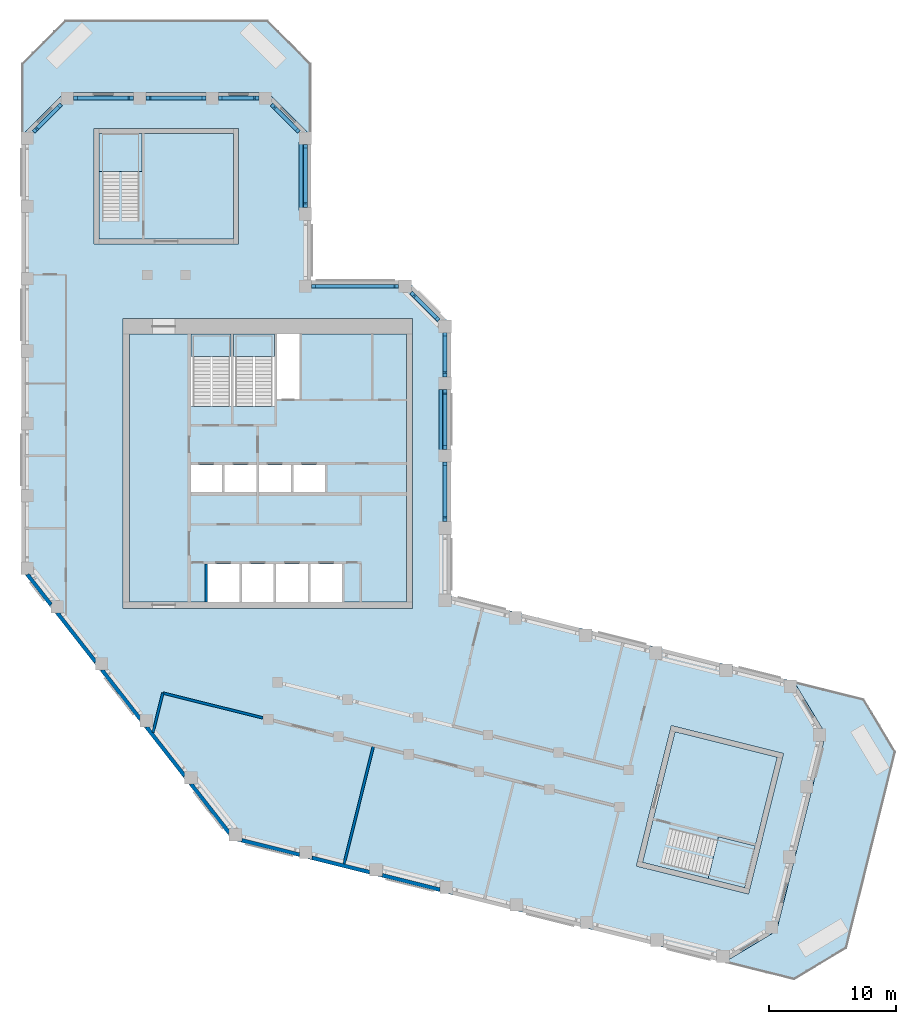
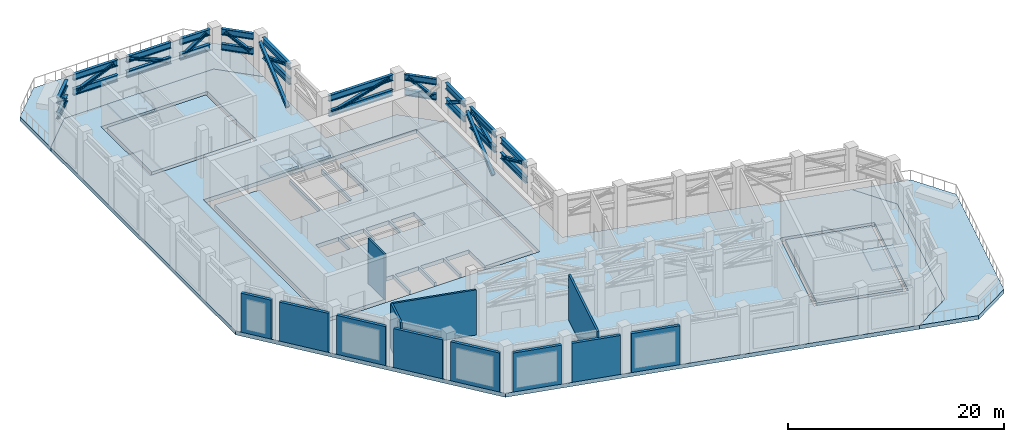
# One storey, part 3 of 8: 22 beams, 13 members, 12 walls, 10 slabs, 4 elements without a shape of their own.
"""IFC4 building model written with IfcOpenShell, lengths in metres."""

import ifcopenshell
import ifcopenshell.guid

model = None  # the IFC model being written
_history = None  # IfcOwnerHistory: only IFC2X3 demands one
_inside = {}  # id of a spatial element -> (the spatial element, [elements in it])
_under = {}  # id of a project, library or spatial element -> (it, [spatial elements below it])
_declared = {}  # id of a project -> (the project, [libraries it declares])
_typed = {}  # id of a type object -> (the type object, [elements of that type])
_made_of = {}  # id of a material, layer set ... -> (it, [elements and type objects made of it])


def new_model(schema):
    """Start an empty IFC model of exactly this schema.

    Asked for "IFC4X3", IfcOpenShell would pick the latest addendum, in which some entities
    have other attributes; the version numbers below select the first issue.
    IFC2X3 requires an IfcOwnerHistory on every rooted entity: one is made here for all.
    """
    global model, _history
    if schema == "IFC4X3":
        model = ifcopenshell.file(schema_version=(4, 3, 0, 0))
    else:
        model = ifcopenshell.file(schema=schema)
    _inside.clear()
    _under.clear()
    _declared.clear()
    _typed.clear()
    _made_of.clear()
    _history = None
    if model.schema == "IFC2X3":
        org = make("IfcOrganization", Name="unknown")
        user = make(
            "IfcPersonAndOrganization",
            ThePerson=make("IfcPerson", FamilyName="unknown"),
            TheOrganization=org,
        )
        app = make(
            "IfcApplication",
            ApplicationDeveloper=org,
            Version="unknown",
            ApplicationFullName="unknown",
            ApplicationIdentifier="unknown",
        )
        _history = make(
            "IfcOwnerHistory",
            OwningUser=user,
            OwningApplication=app,
            ChangeAction="ADDED",
            CreationDate=0,
        )
    return model


def make(cls, **values):
    """One entity of the class cls with the attributes given. An attribute that is None is left unset."""
    return model.create_entity(
        cls, **{name: value for name, value in values.items() if value is not None}
    )


def rooted(cls, **values):
    """An entity with a GlobalId (a new one), such as an element, a storey or a relation."""
    return make(cls, GlobalId=ifcopenshell.guid.new(), OwnerHistory=_history, **values)


def si_unit(unit_type, name, prefix=None):
    """IfcSIUnit, for example si_unit("LENGTHUNIT", "METRE", prefix="MILLI")."""
    return make("IfcSIUnit", UnitType=unit_type, Prefix=prefix, Name=name)


def assignment(units):
    """IfcUnitAssignment: the units of a project."""
    return None if units is None else make("IfcUnitAssignment", Units=units)


def point(xyz):
    """IfcCartesianPoint."""
    return None if xyz is None else make("IfcCartesianPoint", Coordinates=xyz)


def direction(xyz):
    """IfcDirection."""
    return None if xyz is None else make("IfcDirection", DirectionRatios=xyz)


def frame(location, z_axis=None, x_axis=None):
    """IfcAxis2Placement3D, a coordinate frame: its origin and axes. An axis left out is left unset."""
    return make(
        "IfcAxis2Placement3D",
        Location=point(location),
        Axis=direction(z_axis),
        RefDirection=direction(x_axis),
    )


def frame_2d(location, x_axis=None):
    """IfcAxis2Placement2D, a coordinate frame in the plane: its origin and x axis."""
    return make(
        "IfcAxis2Placement2D", Location=point(location), RefDirection=direction(x_axis)
    )


def origin():
    """The frame at (0, 0, 0) with its axes left unset."""
    return frame((0.0, 0.0, 0.0))


def origin_2d():
    """The frame at (0, 0) in the plane with its x axis left unset."""
    return frame_2d((0.0, 0.0))


def place(relative_to, where):
    """IfcLocalPlacement: puts the frame where relative to a parent placement (None: the world)."""
    return make(
        "IfcLocalPlacement", PlacementRelTo=relative_to, RelativePlacement=where
    )


def context(
    kind, dimensions, precision=None, world=None, true_north=None, identifier=None
):
    """IfcGeometricRepresentationContext, for example the 3D "Model" context."""
    return make(
        "IfcGeometricRepresentationContext",
        ContextIdentifier=identifier,
        ContextType=kind,
        CoordinateSpaceDimension=dimensions,
        Precision=precision,
        WorldCoordinateSystem=world,
        TrueNorth=true_north,
    )


def subcontext(parent, identifier, kind, view, scale=None):
    """IfcGeometricRepresentationSubContext, for example "Body" below "Model"."""
    return make(
        "IfcGeometricRepresentationSubContext",
        ContextIdentifier=identifier,
        ContextType=kind,
        ParentContext=parent,
        TargetScale=scale,
        TargetView=view,
    )


def project(units=None, contexts=None):
    """IfcProject with its units and contexts."""
    return rooted(
        "IfcProject",
        Name="project",
        RepresentationContexts=contexts,
        UnitsInContext=assignment(units),
    )


def spatial(cls, under=None, at=None, **own):
    """A site, building, storey or space (cls), placed at a placement, below another one or the project."""
    s = rooted(cls, ObjectPlacement=at, **own)
    if under is not None:
        _under.setdefault(under.id(), (under, []))[1].append(s)
    return s


def polyline(points):
    """IfcPolyline through the points."""
    return make("IfcPolyline", Points=[point(p) for p in points])


def profile(cls, at=None, kind="AREA", **sizes):
    """A parametric profile (cls). Its sizes go by their IFC names, for example OverallWidth=200.0."""
    return make(cls, ProfileType=kind, Position=at, **sizes)


def rectangle(**sizes):
    """IfcRectangleProfileDef."""
    return profile("IfcRectangleProfileDef", **sizes)


def i_section(**sizes):
    """IfcIShapeProfileDef."""
    return profile("IfcIShapeProfileDef", **sizes)


def outline(outer, holes=None, kind="AREA"):
    """IfcArbitraryClosedProfileDef: a profile drawn as a closed curve; with holes, ...WithVoids."""
    if holes is None:
        return make("IfcArbitraryClosedProfileDef", ProfileType=kind, OuterCurve=outer)
    return make(
        "IfcArbitraryProfileDefWithVoids",
        ProfileType=kind,
        OuterCurve=outer,
        InnerCurves=holes,
    )


def extrude(swept, where, along, depth):
    """IfcExtrudedAreaSolid: the profile swept, set in the frame where, extruded along a direction by depth."""
    return make(
        "IfcExtrudedAreaSolid",
        SweptArea=swept,
        Position=where,
        ExtrudedDirection=direction(along),
        Depth=depth,
    )


def shape(context_of_items, identifier, shape_type, items):
    """IfcShapeRepresentation: the items that make up one representation, for example the "Body"."""
    return make(
        "IfcShapeRepresentation",
        ContextOfItems=context_of_items,
        RepresentationIdentifier=identifier,
        RepresentationType=shape_type,
        Items=items,
    )


def material(Name=None, Category=None):
    """IfcMaterial."""
    return make("IfcMaterial", Name=Name, Category=Category)


def layer(
    of_material, thickness, ventilated=None, Name=None, Category=None, Priority=None
):
    """IfcMaterialLayer: one layer of a wall or slab, of a material (None: an air gap)."""
    return make(
        "IfcMaterialLayer",
        Material=of_material,
        LayerThickness=thickness,
        IsVentilated=ventilated,
        Name=Name,
        Category=Category,
        Priority=Priority,
    )


def layer_set(layers, Name=None):
    """IfcMaterialLayerSet."""
    return make("IfcMaterialLayerSet", MaterialLayers=layers, LayerSetName=Name)


def material_profile(
    of_material, cross_section, Name=None, Category=None, Priority=None
):
    """IfcMaterialProfile: a cross section and its material."""
    return make(
        "IfcMaterialProfile",
        Name=Name,
        Material=of_material,
        Profile=cross_section,
        Priority=Priority,
        Category=Category,
    )


def profile_set(profiles, Name=None, composite=None):
    """IfcMaterialProfileSet."""
    return make(
        "IfcMaterialProfileSet",
        Name=Name,
        MaterialProfiles=profiles,
        CompositeProfile=composite,
    )


def made_of(thing, what):
    """Note that an element or type object is made of a material, layer set ...; save() writes the relation."""
    if what is not None:
        _made_of.setdefault(what.id(), (what, []))[1].append(thing)
    return thing


def type_object(cls, material=None, **own):
    """A type object (cls), such as IfcWallType, which elements share."""
    return made_of(rooted(cls, **own), material)


def element(
    cls,
    number,
    at=None,
    inside=None,
    cuts=None,
    type_object=None,
    material=None,
    context=None,
    identifier="Body",
    shape_type=None,
    held_by="IfcProductDefinitionShape",
    body=None,
    shapes=None,
    **own,
):
    """One element of the class cls, such as IfcWall. Its Tag is "e" and its number.

    at: its placement. inside: the storey or other place that contains it. cuts: it is an
    opening in that element (IfcRelVoidsElement). A single representation is given by context,
    identifier, shape_type and body (its items); several are given by shapes. held_by: the class
    of the entity that holds the representations. save() writes the other relations.
    """
    e = rooted(cls, Tag="e%d" % number, ObjectPlacement=at, **own)
    if body is not None:
        shapes = [shape(context, identifier, shape_type, body)]
    if shapes is not None:
        e.Representation = make(held_by, Representations=shapes)
    if inside is not None:
        _inside.setdefault(inside.id(), (inside, []))[1].append(e)
    if cuts is not None:
        rooted(
            "IfcRelVoidsElement", RelatingBuildingElement=cuts, RelatedOpeningElement=e
        )
    if type_object is not None:
        _typed.setdefault(type_object.id(), (type_object, []))[1].append(e)
    return made_of(e, material)


def aggregate(whole, parts):
    """IfcRelAggregates: a whole, such as a stair, and the parts it consists of."""
    return rooted("IfcRelAggregates", RelatingObject=whole, RelatedObjects=parts)


def save(model, path):
    """Write the relations noted so far, then the file.

    IfcRelAggregates (storeys below a building ...), IfcRelContainedInSpatialStructure (elements
    in a storey), IfcRelDefinesByType, IfcRelAssociatesMaterial and IfcRelDeclares: one each for
    every whole, place, type object, material and project.
    """
    for whole, parts in _under.values():
        aggregate(whole, parts)
    for where, things in _inside.values():
        rooted(
            "IfcRelContainedInSpatialStructure",
            RelatedElements=things,
            RelatingStructure=where,
        )
    for kind, things in _typed.values():
        rooted("IfcRelDefinesByType", RelatedObjects=things, RelatingType=kind)
    for what, things in _made_of.values():
        rooted("IfcRelAssociatesMaterial", RelatedObjects=things, RelatingMaterial=what)
    for by, libraries in _declared.values():
        rooted("IfcRelDeclares", RelatingContext=by, RelatedDefinitions=libraries)
    model.write(path)


model = new_model("IFC4")

# Units and contexts
model_context = context("Model", 3, precision=1e-05, world=origin(), true_north=direction((0.0, 1.0)))
body_context = subcontext(model_context, "Body", "Model", "MODEL_VIEW")
ifc_project = project(units=[si_unit("LENGTHUNIT", "METRE"), si_unit("AREAUNIT", "SQUARE_METRE"), si_unit("VOLUMEUNIT", "CUBIC_METRE"), si_unit("PLANEANGLEUNIT", "RADIAN"), si_unit("MASSUNIT", "GRAM", prefix="KILO")], contexts=[model_context])

# Site, building, storey
site_placement = place(None, origin())
site = spatial("IfcSite", under=ifc_project, at=site_placement, CompositionType="ELEMENT")
building_placement = place(site_placement, origin())
building = spatial("IfcBuilding", under=site, at=building_placement, Name="Meshkara Civic Tower", CompositionType="ELEMENT")
storey_placement = place(building_placement, frame((0.0, 0.0, 348.60009765625)))
storey = spatial("IfcBuildingStorey", under=building, at=storey_placement, Name="L80", CompositionType="ELEMENT", Elevation=348.60009765625)

# Beams
ifc_material_1 = material(Name="Steel S355", Category="steel")
ifc_material_profile_1 = material_profile(ifc_material_1, i_section(OverallWidth=0.300048828125, OverallDepth=0.699951171875, WebThickness=0.01708984375, FlangeThickness=0.031982421875, FilletRadius=0.027099609375, at=origin_2d()))
ifc_profile_set_1 = profile_set([ifc_material_profile_1], Name="Steel S355")
beam_type = type_object("IfcBeamType", Name="Belt truss chord HEB 700 S355", PredefinedType="BEAM", material=ifc_profile_set_1)
for number, where, z_axis, x_axis, name in (
    (1, (33.35009765625, 20.9140625, 4.75), (0.0, 1.0, 0.0), (-1.0, 0.0, 0.0), "Belt truss chord BHE01-HE02"),
    (2, (33.35009765625, 20.9140625, 3.0498046875), (0.0, 1.0, 0.0), (-1.0, 0.0, 0.0), "Belt truss chord BHE01-HE02"),
    (3, (33.35009765625, 26.614013671875, 4.75), (0.0, 1.0, 0.0), (-1.0, 0.0, 0.0), "Belt truss chord BHE02-HE03"),
    (4, (33.35009765625, 26.614013671875, 3.0498046875), (0.0, 1.0, 0.0), (-1.0, 0.0, 0.0), "Belt truss chord BHE02-HE03"),
):
    element("IfcBeam", number, at=place(storey_placement, frame(where, z_axis=z_axis, x_axis=x_axis)), inside=storey, type_object=beam_type, Name=name, PredefinedType="BEAM", context=body_context, shape_type="SweptSolid", body=[
        extrude(i_section(OverallWidth=0.300048828125, OverallDepth=0.699951171875, WebThickness=0.01708984375, FlangeThickness=0.031982421875, FilletRadius=0.027099609375, at=origin_2d()), origin(), (0.0, 0.0, 1.0), 4.7099609375),
    ])
for number, where, z_axis, x_axis, name in (
    (5, (33.35009765625, 32.31396484375, 4.75), (0.0, 1.0, 0.0), (-1.0, 0.0, 0.0), "Belt truss chord BHE03-HEE"),
    (6, (33.35009765625, 32.31396484375, 3.0498046875), (0.0, 1.0, 0.0), (-1.0, 0.0, 0.0), "Belt truss chord BHE03-HEE"),
):
    element("IfcBeam", number, at=place(storey_placement, frame(where, z_axis=z_axis, x_axis=x_axis)), inside=storey, type_object=beam_type, Name=name, PredefinedType="BEAM", context=body_context, shape_type="SweptSolid", body=[
        extrude(i_section(OverallWidth=0.300048828125, OverallDepth=0.699951171875, WebThickness=0.01708984375, FlangeThickness=0.031982421875, FilletRadius=0.027099609375, at=origin_2d()), origin(), (0.0, 0.0, 1.0), 3.485107421875),
    ])
for number, where, z_axis, x_axis, name in (
    (7, (32.853515625, 36.79052734375, 4.75), (-0.707106781187, 0.707106781187, 0.0), (-0.707106781187, -0.707106781187, 0.0), "Belt truss chord BHEE-HCeE"),
    (8, (32.853515625, 36.79052734375, 3.0498046875), (-0.707106781187, 0.707106781187, 0.0), (-0.707106781187, -0.707106781187, 0.0), "Belt truss chord BHEE-HCeE"),
):
    element("IfcBeam", number, at=place(storey_placement, frame(where, z_axis=z_axis, x_axis=x_axis)), inside=storey, type_object=beam_type, Name=name, PredefinedType="BEAM", context=body_context, shape_type="SweptSolid", body=[
        extrude(i_section(OverallWidth=0.300048828125, OverallDepth=0.699951171875, WebThickness=0.01708984375, FlangeThickness=0.031982421875, FilletRadius=0.027099609375, at=origin_2d()), origin(), (0.0, 0.0, 1.0), 3.05908203125),
    ])
for number, where, z_axis, x_axis, name in (
    (9, (29.698974609375, 39.449951171875, 4.75), (-1.0, 0.0, 0.0), (0.0, -1.0, 0.0), "Belt truss chord BHCeE-HN00"),
    (10, (29.698974609375, 39.449951171875, 3.0498046875), (-1.0, 0.0, 0.0), (0.0, -1.0, 0.0), "Belt truss chord BHCeE-HN00"),
):
    element("IfcBeam", number, at=place(storey_placement, frame(where, z_axis=z_axis, x_axis=x_axis)), inside=storey, type_object=beam_type, Name=name, PredefinedType="BEAM", context=body_context, shape_type="SweptSolid", body=[
        extrude(i_section(OverallWidth=0.300048828125, OverallDepth=0.699951171875, WebThickness=0.01708984375, FlangeThickness=0.031982421875, FilletRadius=0.027099609375, at=origin_2d()), origin(), (0.0, 0.0, 1.0), 6.85400390625),
    ])
for number, where, z_axis, x_axis, name in (
    (11, (22.35009765625, 45.64501953125, 4.75), (0.0, 1.0, 0.0), (-1.0, 0.0, 0.0), "Belt truss chord BAE01-AEEP5"),
    (12, (22.35009765625, 45.64501953125, 3.0498046875), (0.0, 1.0, 0.0), (-1.0, 0.0, 0.0), "Belt truss chord BAE01-AEEP5"),
):
    element("IfcBeam", number, at=place(storey_placement, frame(where, z_axis=z_axis, x_axis=x_axis)), inside=storey, type_object=beam_type, Name=name, PredefinedType="BEAM", context=body_context, shape_type="SweptSolid", body=[
        extrude(i_section(OverallWidth=0.300048828125, OverallDepth=0.699951171875, WebThickness=0.01708984375, FlangeThickness=0.031982421875, FilletRadius=0.027099609375, at=origin_2d()), origin(), (0.0, 0.0, 1.0), 4.973876953125),
    ])
for number, where, z_axis, x_axis, name in (
    (13, (21.853515625, 51.610595703125, 4.75), (-0.707146686758, 0.707066873363, 0.0), (-0.707066873363, -0.707146686758, 0.0), "Belt truss chord BAEEP5-ATiEP5"),
    (14, (21.853515625, 51.610595703125, 3.0498046875), (-0.707146686758, 0.707066873363, 0.0), (-0.707066873363, -0.707146686758, 0.0), "Belt truss chord BAEEP5-ATiEP5"),
):
    element("IfcBeam", number, at=place(storey_placement, frame(where, z_axis=z_axis, x_axis=x_axis)), inside=storey, type_object=beam_type, Name=name, PredefinedType="BEAM", context=body_context, shape_type="SweptSolid", body=[
        extrude(i_section(OverallWidth=0.300048828125, OverallDepth=0.699951171875, WebThickness=0.01708984375, FlangeThickness=0.031982421875, FilletRadius=0.027099609375, at=origin_2d()), origin(), (0.0, 0.0, 1.0), 3.058837890625),
    ])
for number, where, z_axis, x_axis, name in (
    (15, (18.698974609375, 54.27001953125, 4.75), (-1.0, 0.0, 0.0), (0.0, -1.0, 0.0), "Belt truss chord BATiEP5-AT02-P5"),
    (16, (18.698974609375, 54.27001953125, 3.0498046875), (-1.0, 0.0, 0.0), (0.0, -1.0, 0.0), "Belt truss chord BATiEP5-AT02-P5"),
):
    element("IfcBeam", number, at=place(storey_placement, frame(where, z_axis=z_axis, x_axis=x_axis)), inside=storey, type_object=beam_type, Name=name, PredefinedType="BEAM", context=body_context, shape_type="SweptSolid", body=[
        extrude(i_section(OverallWidth=0.300048828125, OverallDepth=0.699951171875, WebThickness=0.01708984375, FlangeThickness=0.031982421875, FilletRadius=0.027099609375, at=origin_2d()), origin(), (0.0, 0.0, 1.0), 3.197998046875),
    ])
for number, where, z_axis, x_axis, name in (
    (17, (14.510986328125, 54.27001953125, 4.75), (-1.0, 0.0, 0.0), (0.0, -1.0, 0.0), "Belt truss chord BAT02-P5-AT01-P5"),
    (18, (14.510986328125, 54.27001953125, 3.0498046875), (-1.0, 0.0, 0.0), (0.0, -1.0, 0.0), "Belt truss chord BAT02-P5-AT01-P5"),
    (19, (8.81103515625, 54.27001953125, 4.75), (-1.0, 0.0, 0.0), (0.0, -1.0, 0.0), "Belt truss chord BAT01-P5-AT00-P5"),
    (20, (8.81103515625, 54.27001953125, 3.0498046875), (-1.0, 0.0, 0.0), (0.0, -1.0, 0.0), "Belt truss chord BAT01-P5-AT00-P5"),
):
    element("IfcBeam", number, at=place(storey_placement, frame(where, z_axis=z_axis, x_axis=x_axis)), inside=storey, type_object=beam_type, Name=name, PredefinedType="BEAM", context=body_context, shape_type="SweptSolid", body=[
        extrude(i_section(OverallWidth=0.300048828125, OverallDepth=0.699951171875, WebThickness=0.01708984375, FlangeThickness=0.031982421875, FilletRadius=0.027099609375, at=origin_2d()), origin(), (0.0, 0.0, 1.0), 4.7099609375),
    ])
for number, where, z_axis, x_axis, name in (
    (21, (3.109619140625, 53.7734375, 4.75), (-0.707146686758, -0.707066873363, 0.0), (0.707066873363, -0.707146686758, 0.0), "Belt truss chord BAT00-P5-ATo00-P5"),
    (22, (3.109619140625, 53.7734375, 3.0498046875), (-0.707146686758, -0.707066873363, 0.0), (0.707066873363, -0.707146686758, 0.0), "Belt truss chord BAT00-P5-ATo00-P5"),
):
    element("IfcBeam", number, at=place(storey_placement, frame(where, z_axis=z_axis, x_axis=x_axis)), inside=storey, type_object=beam_type, Name=name, PredefinedType="BEAM", context=body_context, shape_type="SweptSolid", body=[
        extrude(i_section(OverallWidth=0.300048828125, OverallDepth=0.699951171875, WebThickness=0.01708984375, FlangeThickness=0.031982421875, FilletRadius=0.027099609375, at=origin_2d()), origin(), (0.0, 0.0, 1.0), 3.058837890625),
    ])

# Members
ifc_material_2 = material(Name="Steel S355", Category="steel")
ifc_material_profile_2 = material_profile(ifc_material_2, i_section(OverallWidth=0.300048828125, OverallDepth=0.300048828125, WebThickness=0.010986328125, FlangeThickness=0.01904296875, FilletRadius=0.027099609375, at=origin_2d()))
ifc_profile_set_2 = profile_set([ifc_material_profile_2], Name="Steel S355")
member_type = type_object("IfcMemberType", Name="Truss diagonal HEB 300 S355", PredefinedType="BRACE", material=ifc_profile_set_2)
for number, where, z_axis, x_axis, name in (
    (23, (33.35009765625, 21.263916015625, 4.75), (0.0, 0.920666035826, -0.390351188645), (-1.0, 0.0, 0.0), "TD-BHE01-HE02-L80"),
    (24, (33.35009765625, 26.964111328125, 3.0498046875), (0.0, 0.920666035826, 0.390351188645), (-1.0, 0.0, 0.0), "TD-BHE02-HE03-L80"),
):
    element("IfcMember", number, at=place(storey_placement, frame(where, z_axis=z_axis, x_axis=x_axis)), inside=storey, type_object=member_type, Name=name, PredefinedType="BRACE", context=body_context, shape_type="SweptSolid", body=[
        extrude(i_section(OverallWidth=0.300048828125, OverallDepth=0.300048828125, WebThickness=0.010986328125, FlangeThickness=0.01904296875, FilletRadius=0.027099609375, at=origin_2d()), origin(), (0.0, 0.0, 1.0), 4.35546875),
    ])
member_1_placement = place(storey_placement, frame((33.35009765625, 32.6640625, 4.75), z_axis=(0.0, 0.853512946338, -0.521071636565), x_axis=(-1.0, 0.0, 0.0)))
element("IfcMember", 25, at=member_1_placement, inside=storey, type_object=member_type, Name="TD-BHE03-HEE-L80", PredefinedType="BRACE", context=body_context, shape_type="SweptSolid", body=[
    extrude(i_section(OverallWidth=0.300048828125, OverallDepth=0.300048828125, WebThickness=0.010986328125, FlangeThickness=0.01904296875, FilletRadius=0.027099609375, at=origin_2d()), origin(), (0.0, 0.0, 1.0), 3.262939453125),
])
member_2_placement = place(storey_placement, frame((32.60595703125, 37.0380859375, 3.0498046875), z_axis=(-0.573632276186, 0.573632276186, 0.584715335386), x_axis=(-0.707106781187, -0.707106781187, 0.0)))
element("IfcMember", 26, at=member_2_placement, inside=storey, type_object=member_type, Name="TD-BHEE-HCeE-L80", PredefinedType="BRACE", context=body_context, shape_type="SweptSolid", body=[
    extrude(i_section(OverallWidth=0.300048828125, OverallDepth=0.300048828125, WebThickness=0.010986328125, FlangeThickness=0.01904296875, FilletRadius=0.027099609375, at=origin_2d()), origin(), (0.0, 0.0, 1.0), 2.90771484375),
])
member_3_placement = place(storey_placement, frame((29.34912109375, 39.449951171875, 4.75), z_axis=(-0.963891140754, 0.0, -0.266296580482), x_axis=(0.0, -1.0, 0.0)))
element("IfcMember", 27, at=member_3_placement, inside=storey, type_object=member_type, Name="TD-BHCeE-HN00-L80", PredefinedType="BRACE", context=body_context, shape_type="SweptSolid", body=[
    extrude(i_section(OverallWidth=0.300048828125, OverallDepth=0.300048828125, WebThickness=0.010986328125, FlangeThickness=0.01904296875, FilletRadius=0.027099609375, at=origin_2d()), origin(), (0.0, 0.0, 1.0), 6.384521484375),
])
member_4_placement = place(storey_placement, frame((22.35009765625, 45.9951171875, 4.75), z_axis=(0.0, 0.929177850036, -0.369632957138), x_axis=(-1.0, 0.0, 0.0)))
element("IfcMember", 28, at=member_4_placement, inside=storey, type_object=member_type, Name="TD-BAE01-AEEP5-L80", PredefinedType="BRACE", context=body_context, shape_type="SweptSolid", body=[
    extrude(i_section(OverallWidth=0.300048828125, OverallDepth=0.300048828125, WebThickness=0.010986328125, FlangeThickness=0.01904296875, FilletRadius=0.027099609375, at=origin_2d()), origin(), (0.0, 0.0, 1.0), 4.599609375),
])
member_5_placement = place(storey_placement, frame((21.60595703125, 51.85791015625, 3.0498046875), z_axis=(-0.573632276186, 0.573632276186, 0.584715335386), x_axis=(-0.707106781187, -0.707106781187, 0.0)))
element("IfcMember", 29, at=member_5_placement, inside=storey, type_object=member_type, Name="TD-BAEEP5-ATiEP5-L80", PredefinedType="BRACE", context=body_context, shape_type="SweptSolid", body=[
    extrude(i_section(OverallWidth=0.300048828125, OverallDepth=0.300048828125, WebThickness=0.010986328125, FlangeThickness=0.01904296875, FilletRadius=0.027099609375, at=origin_2d()), origin(), (0.0, 0.0, 1.0), 2.90771484375),
])
member_6_placement = place(storey_placement, frame((18.34912109375, 54.27001953125, 4.75), z_axis=(-0.826692001642, 0.0, -0.562654720429), x_axis=(0.0, -1.0, 0.0)))
element("IfcMember", 30, at=member_6_placement, inside=storey, type_object=member_type, Name="TD-BATiEP5-AT02-P5-L80", PredefinedType="BRACE", context=body_context, shape_type="SweptSolid", body=[
    extrude(i_section(OverallWidth=0.300048828125, OverallDepth=0.300048828125, WebThickness=0.010986328125, FlangeThickness=0.01904296875, FilletRadius=0.027099609375, at=origin_2d()), origin(), (0.0, 0.0, 1.0), 3.021728515625),
])
for number, where, z_axis, x_axis, name in (
    (31, (14.160888671875, 54.27001953125, 3.0498046875), (-0.920666035826, 0.0, 0.390351188645), (0.0, -1.0, 0.0), "TD-BAT02-P5-AT01-P5-L80"),
    (32, (8.4609375, 54.27001953125, 4.75), (-0.920666035826, 0.0, -0.390351188645), (0.0, -1.0, 0.0), "TD-BAT01-P5-AT00-P5-L80"),
):
    element("IfcMember", number, at=place(storey_placement, frame(where, z_axis=z_axis, x_axis=x_axis)), inside=storey, type_object=member_type, Name=name, PredefinedType="BRACE", context=body_context, shape_type="SweptSolid", body=[
        extrude(i_section(OverallWidth=0.300048828125, OverallDepth=0.300048828125, WebThickness=0.010986328125, FlangeThickness=0.01904296875, FilletRadius=0.027099609375, at=origin_2d()), origin(), (0.0, 0.0, 1.0), 4.35546875),
    ])
member_7_placement = place(storey_placement, frame((2.862060546875, 53.52587890625, 3.0498046875), z_axis=(-0.573632276186, -0.573632276186, 0.584715335386), x_axis=(0.707106781187, -0.707106781187, 0.0)))
element("IfcMember", 33, at=member_7_placement, inside=storey, type_object=member_type, Name="TD-BAT00-P5-ATo00-P5-L80", PredefinedType="BRACE", context=body_context, shape_type="SweptSolid", body=[
    extrude(i_section(OverallWidth=0.300048828125, OverallDepth=0.300048828125, WebThickness=0.010986328125, FlangeThickness=0.01904296875, FilletRadius=0.027099609375, at=origin_2d()), origin(), (0.0, 0.0, 1.0), 2.90771484375),
])
member_8_placement = place(storey_placement, frame((33.010009765625, 26.4990234375, 0.349853515625), z_axis=(0.0, 0.75426916486, 0.656565325723), x_axis=(-1.0, 0.0, 0.0)))
element("IfcMember", 34, at=member_8_placement, inside=storey, type_object=member_type, Name="TD-XHE02-HE03-L80", PredefinedType="BRACE", context=body_context, shape_type="SweptSolid", body=[
    extrude(i_section(OverallWidth=0.300048828125, OverallDepth=0.300048828125, WebThickness=0.010986328125, FlangeThickness=0.01904296875, FilletRadius=0.027099609375, at=origin_2d()), origin(), (0.0, 0.0, 1.0), 6.54931640625),
])
member_9_placement = place(storey_placement, frame((22.010009765625, 45.530029296875, 0.349853515625), z_axis=(0.0, 0.770873727307, 0.636987987758), x_axis=(-1.0, 0.0, 0.0)))
element("IfcMember", 35, at=member_9_placement, inside=storey, type_object=member_type, Name="TD-XAE01-AEEP5-L80", PredefinedType="BRACE", context=body_context, shape_type="SweptSolid", body=[
    extrude(i_section(OverallWidth=0.300048828125, OverallDepth=0.300048828125, WebThickness=0.010986328125, FlangeThickness=0.01904296875, FilletRadius=0.027099609375, at=origin_2d()), origin(), (0.0, 0.0, 1.0), 6.75048828125),
])

# Slabs
ifc_material_3 = material(Name="Concrete C40/50", Category="concrete")
ifc_layer_1 = layer(ifc_material_3, 0.449951171875)
ifc_layer_set_1 = layer_set([ifc_layer_1], Name="Core floor slab 450 C40/50")
slab_type_1 = type_object("IfcSlabType", Name="Core floor slab 450 C40/50", PredefinedType="FLOOR", material=ifc_layer_set_1)
slab_1_placement = place(storey_placement, frame((0.0, 0.0, -0.4501953125)))
element("IfcSlab", 36, at=slab_1_placement, inside=storey, type_object=slab_type_1, Name="Core floor K", PredefinedType="FLOOR", context=body_context, shape_type="SweptSolid", body=[
    extrude(outline(polyline([(8.5, 35.699951171875), (13.35009765625, 35.699951171875), (13.35009765625, 30.00146484375), (16.5, 30.00146484375), (16.5, 35.699951171875), (16.699951171875, 35.699951171875), (16.699951171875, 30.00146484375), (19.89990234375, 30.00146484375), (19.89990234375, 35.699951171875), (20.10009765625, 35.699951171875), (20.10009765625, 30.574951171875), (21.925048828125, 30.574951171875), (21.925048828125, 35.699951171875), (30.300048828125, 35.699951171875), (30.300048828125, 14.60009765625), (25.25, 14.60009765625), (25.25, 17.60009765625), (22.75, 17.60009765625), (22.75, 14.60009765625), (22.550048828125, 14.60009765625), (22.550048828125, 17.60009765625), (20.050048828125, 17.60009765625), (20.050048828125, 14.60009765625), (19.85009765625, 14.60009765625), (19.85009765625, 17.60009765625), (17.35009765625, 17.60009765625), (17.35009765625, 14.60009765625), (17.14990234375, 14.60009765625), (17.14990234375, 17.60009765625), (14.64990234375, 17.60009765625), (14.64990234375, 14.60009765625), (8.5, 14.60009765625), (8.5, 35.699951171875)]), holes=[polyline([(13.35009765625, 23.25), (15.800048828125, 23.25), (15.800048828125, 25.39990234375), (13.35009765625, 25.39990234375), (13.35009765625, 23.25)]), polyline([(18.5, 23.25), (18.5, 25.39990234375), (16.0, 25.39990234375), (16.0, 23.25), (18.5, 23.25)]), polyline([(18.699951171875, 23.25), (21.199951171875, 23.25), (21.199951171875, 25.39990234375), (18.699951171875, 25.39990234375), (18.699951171875, 23.25)]), polyline([(23.89990234375, 23.25), (23.89990234375, 25.39990234375), (21.39990234375, 25.39990234375), (21.39990234375, 23.25), (23.89990234375, 23.25)])]), origin(), (0.0, 0.0, 1.0), 0.4501953125),
])
slab_2_placement = place(storey_placement, frame((0.0, 0.0, -0.4501953125)))
element("IfcSlab", 37, at=slab_2_placement, inside=storey, type_object=slab_type_1, Name="Core floor EA", PredefinedType="FLOOR", context=body_context, shape_type="SweptSolid", body=[
    extrude(outline(polyline([(6.10009765625, 43.169921875), (16.699951171875, 43.169921875), (16.699951171875, 51.469970703125), (6.10009765625, 51.469970703125), (6.10009765625, 43.169921875)])), origin(), (0.0, 0.0, 1.0), 0.4501953125),
])
slab_3_placement = place(storey_placement, frame((0.0, 0.0, -0.4501953125)))
element("IfcSlab", 38, at=slab_3_placement, inside=storey, type_object=slab_type_1, Name="Core floor EB", PredefinedType="FLOOR", context=body_context, shape_type="SweptSolid", body=[
    extrude(outline(polyline([(48.89404296875, -5.90380859375), (51.45849609375, 4.381103515625), (59.511962890625, 2.373291015625), (56.947509765625, -7.911865234375), (48.89404296875, -5.90380859375)])), origin(), (0.0, 0.0, 1.0), 0.4501953125),
])

# Stair, slab
ifc_material_4 = material(Name="Precast concrete C40/50", Category="concrete")
stair_type = type_object("IfcStairType", Name="Exit stair half-turn 30 risers precast", PredefinedType="HALF_TURN_STAIR", material=ifc_material_4)
stair_1_placement = place(storey_placement, origin())
stair_1 = element("IfcStair", 39, at=stair_1_placement, inside=storey, type_object=stair_type, Name="L80 exit stair 1", PredefinedType="HALF_TURN_STAIR")
ifc_material_5 = material(Name="Precast concrete C40/50", Category="concrete")
ifc_layer_2 = layer(ifc_material_5, 0.199951171875)
ifc_layer_set_2 = layer_set([ifc_layer_2], Name="Exit stair landing 200")
slab_type_2 = type_object("IfcSlabType", Name="Exit stair landing 200", PredefinedType="LANDING", material=ifc_layer_set_2)
slab_4_placement = place(storey_placement, frame((0.0, 0.0, 2.5)))
slab_4 = element("IfcSlab", 40, at=slab_4_placement, type_object=slab_type_2, Name="ST1 landing 1", PredefinedType="LANDING", context=body_context, shape_type="SweptSolid", body=[
    extrude(outline(polyline([(16.5, 33.91845703125), (16.5, 35.699951171875), (13.35009765625, 35.699951171875), (13.35009765625, 33.91845703125), (16.5, 33.91845703125)])), origin(), (0.0, 0.0, 1.0), 0.199951171875),
])
aggregate(stair_1, [slab_4])

stair_2_placement = place(storey_placement, origin())
stair_2 = element("IfcStair", 41, at=stair_2_placement, inside=storey, type_object=stair_type, Name="L80 exit stair 2", PredefinedType="HALF_TURN_STAIR")
slab_5_placement = place(storey_placement, frame((0.0, 0.0, 2.5)))
slab_5 = element("IfcSlab", 42, at=slab_5_placement, type_object=slab_type_2, Name="ST2 landing 1", PredefinedType="LANDING", context=body_context, shape_type="SweptSolid", body=[
    extrude(outline(polyline([(19.89990234375, 33.91845703125), (19.89990234375, 35.699951171875), (16.699951171875, 35.699951171875), (16.699951171875, 33.91845703125), (19.89990234375, 33.91845703125)])), origin(), (0.0, 0.0, 1.0), 0.199951171875),
])
aggregate(stair_2, [slab_5])

stair_3_placement = place(storey_placement, origin())
stair_3 = element("IfcStair", 43, at=stair_3_placement, inside=storey, type_object=stair_type, Name="L80 exit stair A from L80", PredefinedType="HALF_TURN_STAIR")
slab_6_placement = place(storey_placement, frame((0.0, 0.0, 2.5)))
slab_6 = element("IfcSlab", 44, at=slab_6_placement, type_object=slab_type_2, Name="ESA6 landing 1", PredefinedType="LANDING", context=body_context, shape_type="SweptSolid", body=[
    extrude(outline(polyline([(9.5, 48.488525390625), (9.5, 51.469970703125), (6.10009765625, 51.469970703125), (6.10009765625, 48.488525390625), (9.5, 48.488525390625)])), origin(), (0.0, 0.0, 1.0), 0.199951171875),
])
aggregate(stair_3, [slab_6])

stair_4_placement = place(storey_placement, origin())
stair_4 = element("IfcStair", 45, at=stair_4_placement, inside=storey, type_object=stair_type, Name="L80 exit stair B from L80", PredefinedType="HALF_TURN_STAIR")
slab_7_placement = place(storey_placement, frame((0.0, 0.0, 2.5)))
slab_7 = element("IfcSlab", 46, at=slab_7_placement, type_object=slab_type_2, Name="ESB6 landing 1", PredefinedType="LANDING", context=body_context, shape_type="SweptSolid", body=[
    extrude(outline(polyline([(54.05419921875, -7.19091796875), (56.947998046875, -7.912109375), (57.7705078125, -4.612060546875), (54.876708984375, -3.890869140625), (54.05419921875, -7.19091796875)])), origin(), (0.0, 0.0, 1.0), 0.199951171875),
])
aggregate(stair_4, [slab_7])

# Slabs
ifc_material_6 = material(Name="Concrete C50", Category="concrete")
ifc_layer_3 = layer(ifc_material_6, 0.449951171875)
ifc_layer_set_3 = layer_set([ifc_layer_3], Name="Terrace slab 450 C50")
slab_type_3 = type_object("IfcSlabType", Name="Terrace slab 450 C50", PredefinedType="ROOF", material=ifc_layer_set_3)
slab_8_placement = place(storey_placement, frame((0.0, 0.0, -0.4501953125)))
element("IfcSlab", 47, at=slab_8_placement, inside=storey, type_object=slab_type_3, Name="Terrace slab L80", PredefinedType="ROOF", context=body_context, shape_type="SweptSolid", body=[
    extrude(outline(polyline([(3.419921875, 60.419921875), (19.3798828125, 60.419921875), (22.800048828125, 57.0), (22.800048828125, 51.300048828125), (19.3798828125, 54.719970703125), (3.419921875, 54.719970703125), (0.0, 51.300048828125), (0.0, 57.0), (3.419921875, 60.419921875)])), origin(), (0.0, 0.0, 1.0), 0.4501953125),
])
slab_9_placement = place(storey_placement, frame((0.0, 0.0, -0.4501953125)))
element("IfcSlab", 48, at=slab_9_placement, inside=storey, type_object=slab_type_3, Name="Terrace slab L80", PredefinedType="ROOF", context=body_context, shape_type="SweptSolid", body=[
    extrude(outline(polyline([(68.843994140625, 2.80810546875), (64.98291015625, -12.677001953125), (60.837890625, -15.1689453125), (55.306884765625, -13.7900390625), (59.452880859375, -11.299072265625), (63.31396484375, 4.18701171875), (60.822998046875, 8.3330078125), (66.35302734375, 6.9541015625), (68.843994140625, 2.80810546875)])), origin(), (0.0, 0.0, 1.0), 0.4501953125),
])
ifc_material_7 = material(Name="Concrete C60", Category="concrete")
ifc_layer_4 = layer(ifc_material_7, 0.449951171875)
ifc_layer_set_4 = layer_set([ifc_layer_4], Name="Transfer plate 450 C60")
slab_type_4 = type_object("IfcSlabType", Name="Transfer plate 450 C60", PredefinedType="FLOOR", material=ifc_layer_set_4)
slab_10_placement = place(storey_placement, frame((0.0, 0.0, -0.4501953125)))
element("IfcSlab", 49, at=slab_10_placement, inside=storey, type_object=slab_type_4, Name="Transfer plate L80", PredefinedType="FLOOR", context=body_context, shape_type="SweptSolid", body=[
    extrude(outline(polyline([(59.452880859375, -11.299072265625), (55.306884765625, -13.7900390625), (16.592041015625, -4.136962890625), (0.0, 17.10009765625), (0.0, 51.300048828125), (3.419921875, 54.719970703125), (19.3798828125, 54.719970703125), (22.800048828125, 51.300048828125), (22.800048828125, 39.89990234375), (30.3798828125, 39.89990234375), (33.800048828125, 36.47998046875), (33.800048828125, 15.071044921875), (60.822998046875, 8.3330078125), (63.31396484375, 4.18701171875), (59.452880859375, -11.299072265625)]), holes=[polyline([(57.239013671875, -8.39697265625), (59.9970703125, 2.6650390625), (51.1669921875, 4.865966796875), (48.408935546875, -6.195068359375), (57.239013671875, -8.39697265625)]), polyline([(8.0, 14.10009765625), (30.800048828125, 14.10009765625), (30.800048828125, 36.89990234375), (8.0, 36.89990234375), (8.0, 14.10009765625)]), polyline([(5.699951171875, 51.8701171875), (5.699951171875, 42.77001953125), (17.10009765625, 42.77001953125), (17.10009765625, 51.8701171875), (5.699951171875, 51.8701171875)])]), origin(), (0.0, 0.0, 1.0), 0.4501953125),
])

# Walls
ifc_material_8 = material(Name="Insulated infill panel with bronze anodised aluminium cladding", Category="aluminium")
ifc_layer_5 = layer(ifc_material_8, 0.300048828125)
ifc_layer_set_5 = layer_set([ifc_layer_5], Name="EXTERNAL INFILL WALL 300")
wall_type_1 = type_object("IfcWallType", Name="EXTERNAL INFILL WALL 300", PredefinedType="SOLIDWALL", material=ifc_layer_set_5)
wall_1_placement = place(storey_placement, frame((0.4599609375, 16.7548828125, 0.0), z_axis=(0.0, 0.0, 1.0), x_axis=(0.615695961149, -0.787983809113, 0.0)))
element("IfcWall", 50, at=wall_1_placement, inside=storey, type_object=wall_type_1, Name="External wall", PredefinedType="SOLIDWALL", context=body_context, shape_type="SweptSolid", body=[
    extrude(rectangle(XDim=3.01123046875, YDim=0.300048828125, at=frame_2d((1.505615234375, 0.0))), origin(), (0.0, 0.0, 1.0), 4.39990234375),
])
wall_2_placement = place(storey_placement, frame((2.823974609375, 13.72900390625, 0.0), z_axis=(0.0, 0.0, 1.0), x_axis=(0.61572963607, -0.78795749585, 0.0)))
element("IfcWall", 51, at=wall_2_placement, inside=storey, type_object=wall_type_1, Name="External wall", PredefinedType="SOLIDWALL", context=body_context, shape_type="SweptSolid", body=[
    extrude(rectangle(XDim=4.87060546875, YDim=0.300048828125, at=frame_2d((2.435302734375, 0.0))), origin(), (0.0, 0.0, 1.0), 4.39990234375),
])
wall_3_placement = place(storey_placement, frame((6.333984375, 9.237060546875, 0.0), z_axis=(0.0, 0.0, 1.0), x_axis=(0.615608058482, -0.788052484503, 0.0)))
element("IfcWall", 52, at=wall_3_placement, inside=storey, type_object=wall_type_1, Name="External wall", PredefinedType="SOLIDWALL", context=body_context, shape_type="SweptSolid", body=[
    extrude(rectangle(XDim=4.87158203125, YDim=0.300048828125, at=frame_2d((2.435791015625, 0.0))), origin(), (0.0, 0.0, 1.0), 4.39990234375),
])
wall_4_placement = place(storey_placement, frame((9.843017578125, 4.7451171875, 0.0), z_axis=(0.0, 0.0, 1.0), x_axis=(0.615705317883, -0.787976498082, 0.0)))
element("IfcWall", 53, at=wall_4_placement, inside=storey, type_object=wall_type_1, Name="External wall", PredefinedType="SOLIDWALL", context=body_context, shape_type="SweptSolid", body=[
    extrude(rectangle(XDim=4.870849609375, YDim=0.300048828125, at=frame_2d((2.435546875, 0.0))), origin(), (0.0, 0.0, 1.0), 4.39990234375),
])
wall_5_placement = place(storey_placement, frame((13.35205078125, 0.25390625, 0.0), z_axis=(0.0, 0.0, 1.0), x_axis=(0.61572963607, -0.78795749585, 0.0)))
element("IfcWall", 54, at=wall_5_placement, inside=storey, type_object=wall_type_1, Name="External wall", PredefinedType="SOLIDWALL", context=body_context, shape_type="SweptSolid", body=[
    extrude(rectangle(XDim=4.87060546875, YDim=0.300048828125, at=frame_2d((2.435302734375, 0.0))), origin(), (0.0, 0.0, 1.0), 4.39990234375),
])
wall_6_placement = place(storey_placement, frame((17.35107421875, -4.172119140625, 0.0), z_axis=(0.0, 0.0, 1.0), x_axis=(0.970335948358, -0.241760516472, 0.0)))
element("IfcWall", 55, at=wall_6_placement, inside=storey, type_object=wall_type_1, Name="External wall", PredefinedType="SOLIDWALL", context=body_context, shape_type="SweptSolid", body=[
    extrude(rectangle(XDim=4.66943359375, YDim=0.300048828125, at=frame_2d((2.334716796875, 0.0))), origin(), (0.0, 0.0, 1.0), 4.39990234375),
])
wall_7_placement = place(storey_placement, frame((22.882080078125, -5.551025390625, 0.0), z_axis=(0.0, 0.0, 1.0), x_axis=(0.970323721059, -0.241809586967, 0.0)))
element("IfcWall", 56, at=wall_7_placement, inside=storey, type_object=wall_type_1, Name="External wall", PredefinedType="SOLIDWALL", context=body_context, shape_type="SweptSolid", body=[
    extrude(rectangle(XDim=4.66845703125, YDim=0.300048828125, at=frame_2d((2.334228515625, 0.0))), origin(), (0.0, 0.0, 1.0), 4.39990234375),
])
wall_8_placement = place(storey_placement, frame((28.412109375, -6.929931640625, 0.0), z_axis=(0.0, 0.0, 1.0), x_axis=(0.970323682052, -0.241809743493, 0.0)))
element("IfcWall", 57, at=wall_8_placement, inside=storey, type_object=wall_type_1, Name="External wall", PredefinedType="SOLIDWALL", context=body_context, shape_type="SweptSolid", body=[
    extrude(rectangle(XDim=4.669677734375, YDim=0.300048828125, at=frame_2d((2.3349609375, 0.0))), origin(), (0.0, 0.0, 1.0), 4.39990234375),
])
ifc_material_9 = material(Name="Fire-rated wall 200")
ifc_layer_6 = layer(ifc_material_9, 0.199951171875)
ifc_layer_set_6 = layer_set([ifc_layer_6], Name="Fire-rated wall 200")
wall_type_2 = type_object("IfcWallType", Name="Fire-rated wall 200", PredefinedType="PARTITIONING", material=ifc_layer_set_6)
wall_9_placement = place(storey_placement, frame((10.35107421875, 4.31298828125, 0.0), z_axis=(0.0, 0.0, 1.0), x_axis=(0.241909491623, 0.970298818851, 0.0)))
element("IfcWall", 58, at=wall_9_placement, inside=storey, type_object=wall_type_2, Name="L80-R003", PredefinedType="PARTITIONING", context=body_context, shape_type="SweptSolid", body=[
    extrude(rectangle(XDim=3.21142578125, YDim=0.199951171875, at=frame_2d((1.605712890625, 0.0))), origin(), (0.0, 0.0, 1.0), 5.099853515625),
])
wall_10_placement = place(storey_placement, frame((11.1279296875, 7.428955078125, 0.0), z_axis=(0.0, 0.0, 1.0), x_axis=(0.970290934835, -0.241941112208, 0.0)))
element("IfcWall", 59, at=wall_10_placement, inside=storey, type_object=wall_type_2, Name="L80-R004", PredefinedType="PARTITIONING", context=body_context, shape_type="SweptSolid", body=[
    extrude(rectangle(XDim=8.1171875, YDim=0.199951171875, at=frame_2d((4.05859375, 0.0))), origin(), (0.0, 0.0, 1.0), 5.099853515625),
])
wall_11_placement = place(storey_placement, frame((25.392578125, -6.04248046875, 0.0), z_axis=(0.0, 0.0, 1.0), x_axis=(0.241953313473, 0.97028789238, 0.0)))
element("IfcWall", 60, at=wall_11_placement, inside=storey, type_object=wall_type_2, Name="L80-R021", PredefinedType="PARTITIONING", context=body_context, shape_type="SweptSolid", body=[
    extrude(rectangle(XDim=9.56982421875, YDim=0.199951171875, at=frame_2d((4.784912109375, 0.0))), origin(), (0.0, 0.0, 1.0), 5.099853515625),
])
ifc_material_10 = material(Name="Concrete C40/50", Category="concrete")
ifc_layer_7 = layer(ifc_material_10, 0.199951171875)
ifc_layer_set_7 = layer_set([ifc_layer_7], Name="Shaft wall 200 C40/50")
wall_type_3 = type_object("IfcWallType", Name="Shaft wall 200 C40/50", PredefinedType="SOLIDWALL", material=ifc_layer_set_7)
wall_12_placement = place(storey_placement, frame((14.550048828125, 14.60009765625, 0.0), z_axis=(0.0, 0.0, 1.0), x_axis=(0.0, 1.0, 0.0)))
element("IfcWall", 61, at=wall_12_placement, inside=storey, type_object=wall_type_3, Name="L80-C012", PredefinedType="SOLIDWALL", context=body_context, shape_type="SweptSolid", body=[
    extrude(rectangle(XDim=3.0, YDim=0.199951171875, at=frame_2d((1.5, 0.0))), origin(), (0.0, 0.0, 1.0), 5.099853515625),
])

save(model, "model.ifc")
